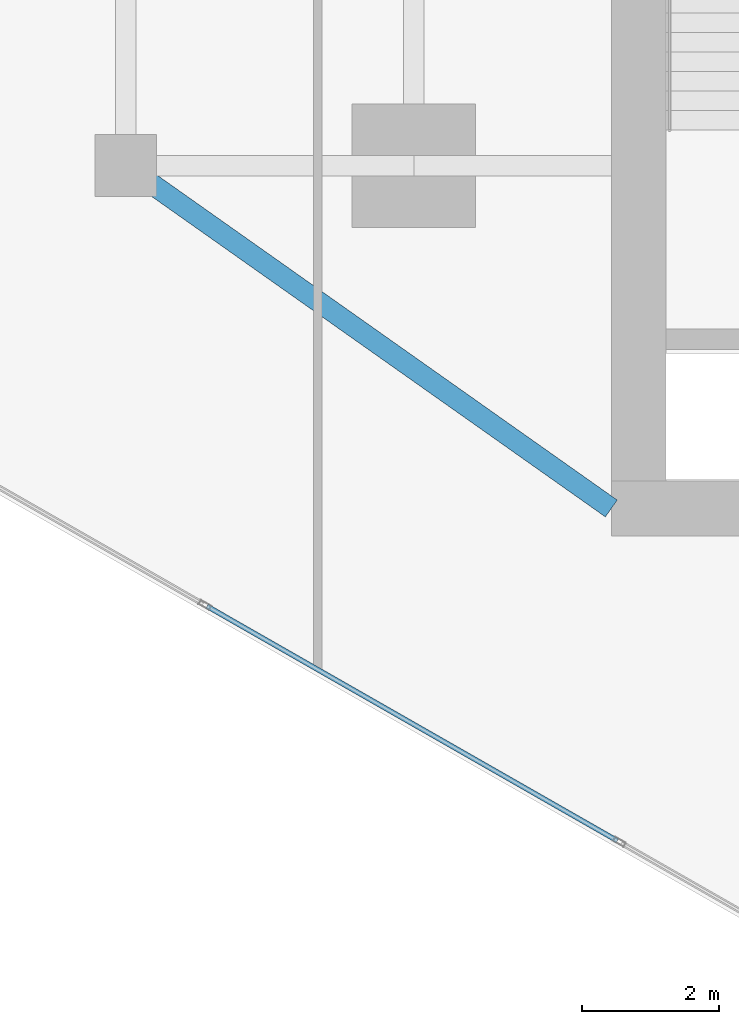
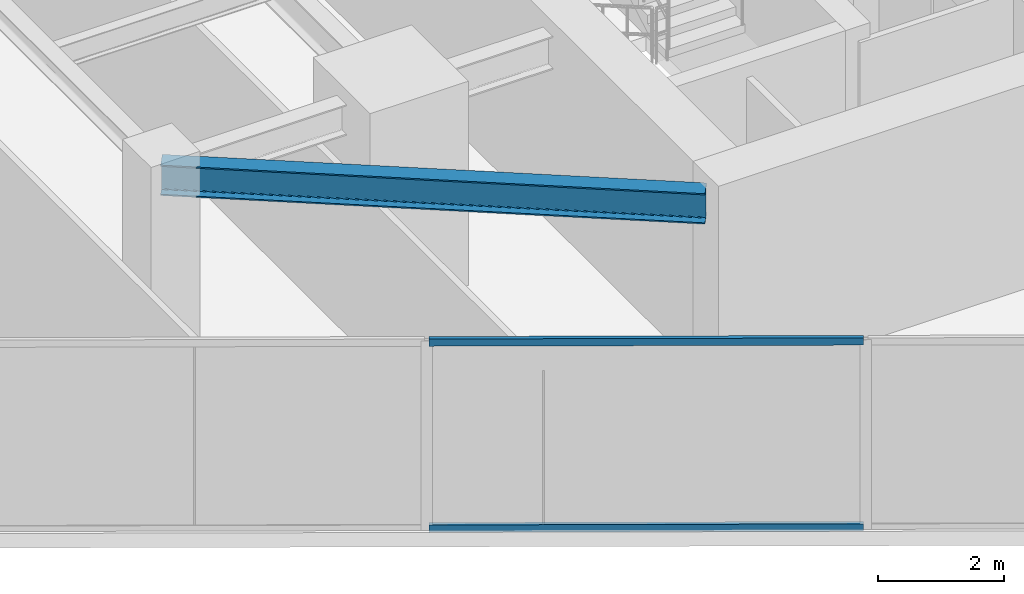
# One storey, part 4 of 24: 2 members, 1 beam, 1 element without a shape of its own.
"""IFC4 building model written with IfcOpenShell, lengths in metres."""

from ifc_helpers import new_model, si_unit, direction, frame, origin, origin_2d, place, context, subcontext, project, spatial, hollow_rectangle, i_section, extrude, source, transform, mapped, material, material_profile, profile_set, type_object, type_shapes, element, aggregate, save


model = new_model("IFC4")

# Units and contexts
model_context = context("Model", 3, precision=1e-05, world=origin(), true_north=direction((0.0, 1.0)))
body_context = subcontext(model_context, "Body", "Model", "MODEL_VIEW")
ifc_project = project(units=[si_unit("LENGTHUNIT", "METRE"), si_unit("AREAUNIT", "SQUARE_METRE"), si_unit("VOLUMEUNIT", "CUBIC_METRE"), si_unit("PLANEANGLEUNIT", "RADIAN"), si_unit("MASSUNIT", "GRAM", prefix="KILO")], contexts=[model_context])

# Site, building, storey
site_placement = place(None, origin())
site = spatial("IfcSite", under=ifc_project, at=site_placement, CompositionType="ELEMENT")
building_placement = place(site_placement, origin())
building = spatial("IfcBuilding", under=site, at=building_placement, Name="Krantzveldt Concourse Tower", CompositionType="ELEMENT")
storey_placement = place(building_placement, frame((0.0, 0.0, 162.0)))
storey = spatial("IfcBuildingStorey", under=building, at=storey_placement, Name="L39", CompositionType="ELEMENT", Elevation=162.0)

# Beam
ifc_material_1 = material(Name="Steel S355JR", Category="steel")
ifc_material_profile_1 = material_profile(ifc_material_1, i_section(OverallWidth=0.300048828125, OverallDepth=0.590087890625, WebThickness=0.012939453125, FlangeThickness=0.02490234375, FilletRadius=0.027099609375, at=origin_2d()), Name="Steel S355JR", Category="steel")
ifc_profile_set_1 = profile_set([ifc_material_profile_1], Name="Steel S355JR - HEA 600")
beam_type = type_object("IfcBeamType", Name="BM-B-HEA600", PredefinedType="BEAM", material=ifc_profile_set_1)
shared_shape_1 = source(origin(), body_context, "Body", "SweptSolid", [
    extrude(i_section(OverallWidth=0.300048828125, OverallDepth=0.590087890625, WebThickness=0.012939453125, FlangeThickness=0.02490234375, FilletRadius=0.027099609375, at=origin_2d()), origin(), (0.0, 0.0, 1.0), 8.667724609375),
])
type_shapes(beam_type, [shared_shape_1])
beam_placement = place(storey_placement, frame((21.0, 15.89990234375, 3.375), z_axis=(0.81684294656, -0.576860122261, 0.0), x_axis=(0.576860122261, 0.81684294656, 0.0)))
element("IfcBeam", 1, at=beam_placement, inside=storey, type_object=beam_type, Name="L39 Tower Girder BR-CSW", PredefinedType="BEAM", context=body_context, shape_type="MappedRepresentation", body=[
    mapped(shared_shape_1, transform((0.0, 0.0, 0.0), x_axis=(1.0, 0.0, 0.0), y_axis=(0.0, 1.0, 0.0), z_axis=(0.0, 0.0, 1.0), scale=1.0)),
])

# Curtain wall, members
ifc_material_2 = material(Name="Anodised aluminium 6063-T6", Category="aluminium")
curtain_wall_type = type_object("IfcCurtainWallType", Name="CW3", PredefinedType="USERDEFINED", material=ifc_material_2)
curtain_wall_placement = place(storey_placement, origin())
curtain_wall = element("IfcCurtainWall", 2, at=curtain_wall_placement, inside=storey, type_object=curtain_wall_type, Name="CW-L39-F08", ObjectType="UNITISED CURTAIN WALL", PredefinedType="USERDEFINED")
ifc_material_profile_2 = material_profile(ifc_material_2, hollow_rectangle(XDim=0.070068359375, YDim=0.139892578125, WallThickness=0.0048828125, at=origin_2d()), Name="Anodised aluminium 6063-T6", Category="aluminium")
ifc_profile_set_2 = profile_set([ifc_material_profile_2], Name="Anodised aluminium 6063-T6 - ALU-TRAN 140x70x5")
member_type = type_object("IfcMemberType", Name="CW-TRN-150", PredefinedType="USERDEFINED", material=ifc_profile_set_2)
shared_shape_2 = source(origin(), body_context, "Body", "SweptSolid", [
    extrude(hollow_rectangle(XDim=0.070068359375, YDim=0.139892578125, WallThickness=0.0048828125, at=origin_2d()), origin(), (0.0, 0.0, 1.0), 6.89013671875),
])
type_shapes(member_type, [shared_shape_2])
member_1_placement = place(storey_placement, frame((22.1865234375, 9.47412109375, 0.034912109375), z_axis=(0.868199527911, -0.496215255443, 0.0), x_axis=(0.496215255443, 0.868199527911, 0.0)))
member_1 = element("IfcMember", 3, at=member_1_placement, type_object=member_type, Name="CW-Z34 transom 3.1", ObjectType="TRANSOM", PredefinedType="USERDEFINED", context=body_context, shape_type="MappedRepresentation", body=[
    mapped(shared_shape_2, transform((0.0, 0.0, 0.0), x_axis=(1.0, 0.0, 0.0), y_axis=(0.0, 1.0, 0.0), z_axis=(0.0, 0.0, 1.0), scale=1.0)),
])
member_2_placement = place(storey_placement, frame((22.1865234375, 9.47412109375, 3.635009765625), z_axis=(0.868199527911, -0.496215255443, 0.0), x_axis=(0.496215255443, 0.868199527911, 0.0)))
member_2 = element("IfcMember", 4, at=member_2_placement, type_object=member_type, Name="CW-Z34 transom 3.2", ObjectType="TRANSOM", PredefinedType="USERDEFINED", context=body_context, shape_type="MappedRepresentation", body=[
    mapped(shared_shape_2, transform((0.0, 0.0, 0.0), x_axis=(1.0, 0.0, 0.0), y_axis=(0.0, 1.0, 0.0), z_axis=(0.0, 0.0, 1.0), scale=1.0)),
])
aggregate(curtain_wall, [member_1, member_2])

save(model, "model.ifc")
